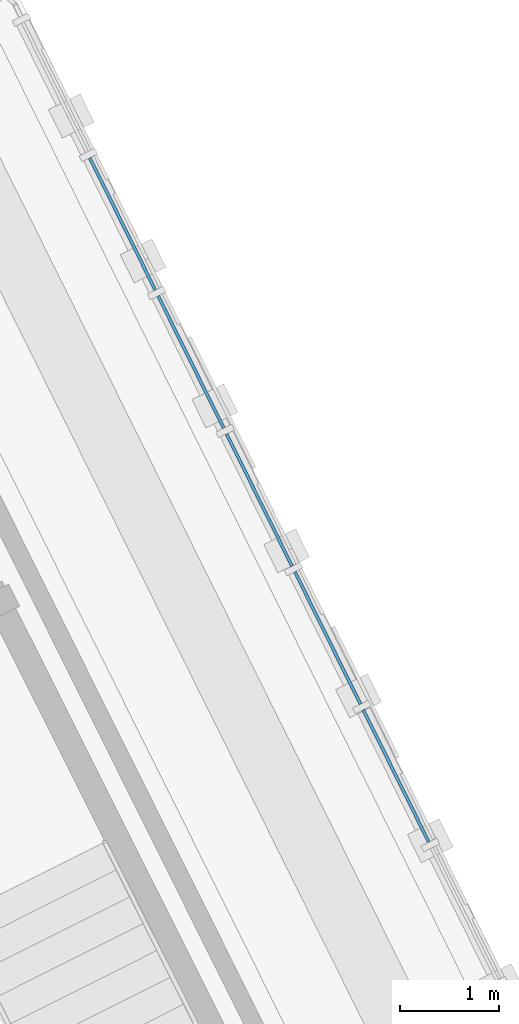
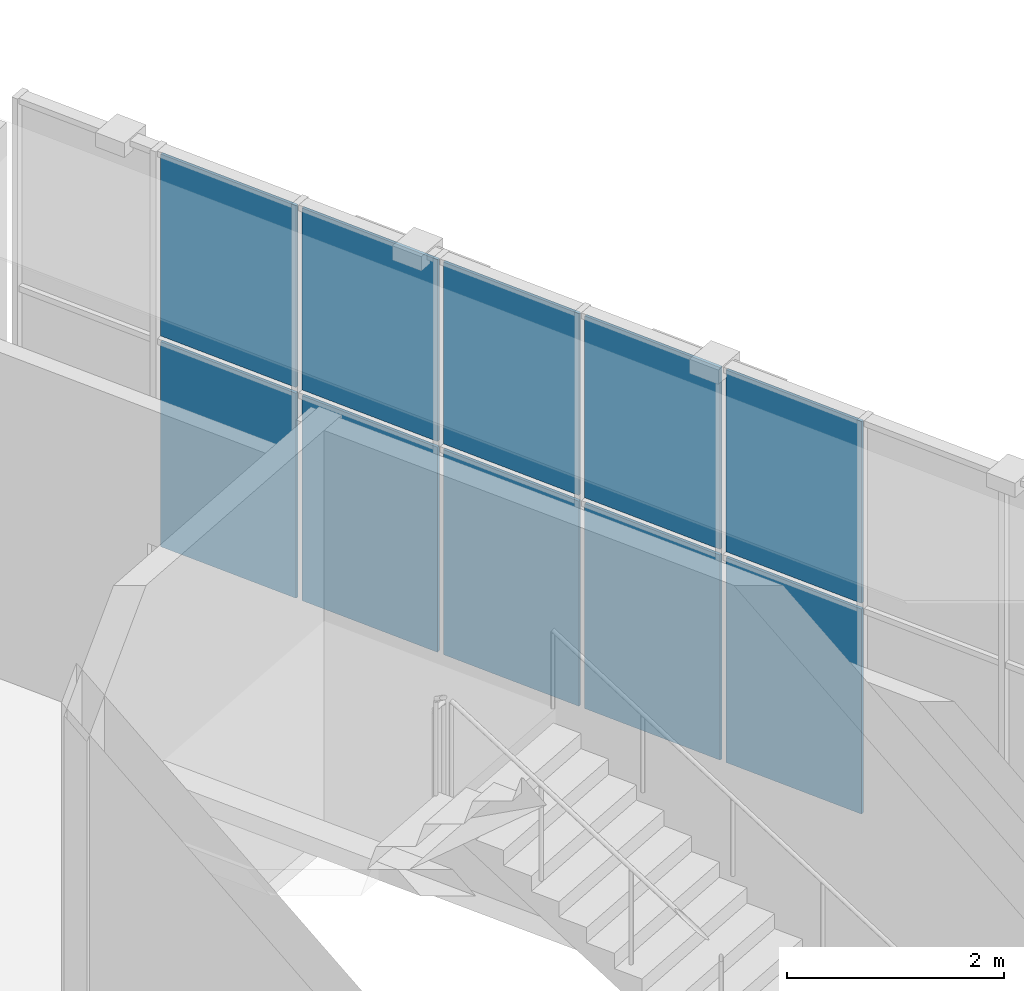
# One storey, part 59 of 108: 10 plates, 1 element without a shape of its own.
"""IFC4 building model written with IfcOpenShell, lengths in metres."""

from ifc_helpers import new_model, si_unit, direction, frame, origin, origin_2d, place, context, subcontext, project, spatial, rectangle, extrude, material, layer, layer_set, type_object, element, aggregate, save


model = new_model("IFC4")

# Units and contexts
model_context = context("Model", 3, precision=1e-05, world=origin(), true_north=direction((0.0, 1.0)))
body_context = subcontext(model_context, "Body", "Model", "MODEL_VIEW")
ifc_project = project(units=[si_unit("LENGTHUNIT", "METRE"), si_unit("AREAUNIT", "SQUARE_METRE"), si_unit("VOLUMEUNIT", "CUBIC_METRE"), si_unit("PLANEANGLEUNIT", "RADIAN"), si_unit("MASSUNIT", "GRAM", prefix="KILO")], contexts=[model_context])

# Site, building, storey
site_placement = place(None, origin())
site = spatial("IfcSite", under=ifc_project, at=site_placement, CompositionType="ELEMENT")
building_placement = place(site_placement, origin())
building = spatial("IfcBuilding", under=site, at=building_placement, Name="Zevraka Park Crest Stadium", CompositionType="ELEMENT")
storey_placement = place(building_placement, frame((0.0, 0.0, 19.800048828125)))
storey = spatial("IfcBuildingStorey", under=building, at=storey_placement, Name="L04", CompositionType="ELEMENT", Elevation=19.800048828125)

# Curtain wall, plates
ifc_material_1 = material(Name="Anodised architectural aluminium and laminated safety glass", Category="aluminium")
curtain_wall_type = type_object("IfcCurtainWallType", Name="CW17", PredefinedType="NOTDEFINED", material=ifc_material_1)
curtain_wall_placement = place(storey_placement, origin())
curtain_wall = element("IfcCurtainWall", 1, at=curtain_wall_placement, inside=storey, type_object=curtain_wall_type, Name="Unitised Ring Curtain Wall CW17 L04-01", PredefinedType="NOTDEFINED")
ifc_material_2 = material(Name="Solar-control laminated double glazing", Category="glass")
ifc_layer = layer(ifc_material_2, 0.031982421875)
ifc_layer_set = layer_set([ifc_layer], Name="Solar-control laminated double glazing")
plate_type = type_object("IfcPlateType", Name="CP17", PredefinedType="CURTAIN_PANEL", material=ifc_layer_set)
plate_1_placement = place(storey_placement, frame((195.0458984375, 122.389404296875, 0.06494140625), z_axis=(0.0, 0.0, 1.0), x_axis=(-0.443961067545, 0.896046076106, 0.0)))
plate_1 = element("IfcPlate", 2, at=plate_1_placement, type_object=plate_type, Name="CW17 panel 8.1", PredefinedType="CURTAIN_PANEL", context=body_context, shape_type="SweptSolid", body=[
    extrude(rectangle(XDim=1.497314453125, YDim=0.031982421875, at=origin_2d()), origin(), (0.0, 0.0, 1.0), 2.302490234375),
])
plate_2_placement = place(storey_placement, frame((195.0458984375, 122.389404296875, 2.432373046875), z_axis=(0.0, 0.0, 1.0), x_axis=(-0.443961067545, 0.896046076106, 0.0)))
plate_2 = element("IfcPlate", 3, at=plate_2_placement, type_object=plate_type, Name="CW17 panel 8.2", PredefinedType="CURTAIN_PANEL", context=body_context, shape_type="SweptSolid", body=[
    extrude(rectangle(XDim=1.497314453125, YDim=0.031982421875, at=origin_2d()), origin(), (0.0, 0.0, 1.0), 2.04248046875),
])
plate_3_placement = place(storey_placement, frame((194.352294921875, 123.789306640625, 0.06494140625), z_axis=(0.0, 0.0, 1.0), x_axis=(-0.443961067545, 0.896046076106, 0.0)))
plate_3 = element("IfcPlate", 4, at=plate_3_placement, type_object=plate_type, Name="CW17 panel 9.1", PredefinedType="CURTAIN_PANEL", context=body_context, shape_type="SweptSolid", body=[
    extrude(rectangle(XDim=1.497314453125, YDim=0.031982421875, at=origin_2d()), origin(), (0.0, 0.0, 1.0), 2.302490234375),
])
plate_4_placement = place(storey_placement, frame((194.352294921875, 123.789306640625, 2.432373046875), z_axis=(0.0, 0.0, 1.0), x_axis=(-0.443961067545, 0.896046076106, 0.0)))
plate_4 = element("IfcPlate", 5, at=plate_4_placement, type_object=plate_type, Name="CW17 panel 9.2", PredefinedType="CURTAIN_PANEL", context=body_context, shape_type="SweptSolid", body=[
    extrude(rectangle(XDim=1.497314453125, YDim=0.031982421875, at=origin_2d()), origin(), (0.0, 0.0, 1.0), 2.04248046875),
])
plate_5_placement = place(storey_placement, frame((193.65869140625, 125.189208984375, 0.06494140625), z_axis=(0.0, 0.0, 1.0), x_axis=(-0.443961067545, 0.896046076106, 0.0)))
plate_5 = element("IfcPlate", 6, at=plate_5_placement, type_object=plate_type, Name="CW17 panel 10.1", PredefinedType="CURTAIN_PANEL", context=body_context, shape_type="SweptSolid", body=[
    extrude(rectangle(XDim=1.497314453125, YDim=0.031982421875, at=origin_2d()), origin(), (0.0, 0.0, 1.0), 2.302490234375),
])
plate_6_placement = place(storey_placement, frame((193.65869140625, 125.189208984375, 2.432373046875), z_axis=(0.0, 0.0, 1.0), x_axis=(-0.443961067545, 0.896046076106, 0.0)))
plate_6 = element("IfcPlate", 7, at=plate_6_placement, type_object=plate_type, Name="CW17 panel 10.2", PredefinedType="CURTAIN_PANEL", context=body_context, shape_type="SweptSolid", body=[
    extrude(rectangle(XDim=1.497314453125, YDim=0.031982421875, at=origin_2d()), origin(), (0.0, 0.0, 1.0), 2.04248046875),
])
plate_7_placement = place(storey_placement, frame((192.965087890625, 126.589111328125, 0.06494140625), z_axis=(0.0, 0.0, 1.0), x_axis=(-0.443961067545, 0.896046076106, 0.0)))
plate_7 = element("IfcPlate", 8, at=plate_7_placement, type_object=plate_type, Name="CW17 panel 11.1", PredefinedType="CURTAIN_PANEL", context=body_context, shape_type="SweptSolid", body=[
    extrude(rectangle(XDim=1.497314453125, YDim=0.031982421875, at=origin_2d()), origin(), (0.0, 0.0, 1.0), 2.302490234375),
])
plate_8_placement = place(storey_placement, frame((192.965087890625, 126.589111328125, 2.432373046875), z_axis=(0.0, 0.0, 1.0), x_axis=(-0.443961067545, 0.896046076106, 0.0)))
plate_8 = element("IfcPlate", 9, at=plate_8_placement, type_object=plate_type, Name="CW17 panel 11.2", PredefinedType="CURTAIN_PANEL", context=body_context, shape_type="SweptSolid", body=[
    extrude(rectangle(XDim=1.497314453125, YDim=0.031982421875, at=origin_2d()), origin(), (0.0, 0.0, 1.0), 2.04248046875),
])
plate_9_placement = place(storey_placement, frame((192.271484375, 127.989013671875, 0.06494140625), z_axis=(0.0, 0.0, 1.0), x_axis=(-0.443961067545, 0.896046076106, 0.0)))
plate_9 = element("IfcPlate", 10, at=plate_9_placement, type_object=plate_type, Name="CW17 panel 12.1", PredefinedType="CURTAIN_PANEL", context=body_context, shape_type="SweptSolid", body=[
    extrude(rectangle(XDim=1.497314453125, YDim=0.031982421875, at=origin_2d()), origin(), (0.0, 0.0, 1.0), 2.302490234375),
])
plate_10_placement = place(storey_placement, frame((192.271484375, 127.989013671875, 2.432373046875), z_axis=(0.0, 0.0, 1.0), x_axis=(-0.443961067545, 0.896046076106, 0.0)))
plate_10 = element("IfcPlate", 11, at=plate_10_placement, type_object=plate_type, Name="CW17 panel 12.2", PredefinedType="CURTAIN_PANEL", context=body_context, shape_type="SweptSolid", body=[
    extrude(rectangle(XDim=1.497314453125, YDim=0.031982421875, at=origin_2d()), origin(), (0.0, 0.0, 1.0), 2.04248046875),
])
aggregate(curtain_wall, [plate_1, plate_2, plate_3, plate_4, plate_5, plate_6, plate_7, plate_8, plate_9, plate_10])

save(model, "model.ifc")
